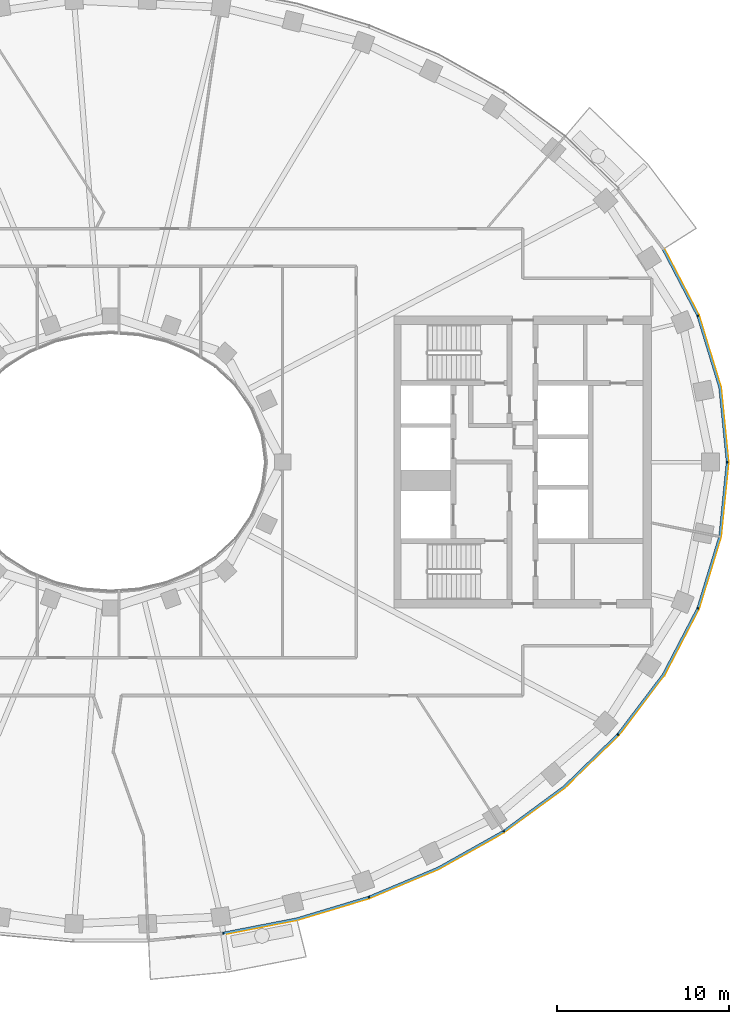
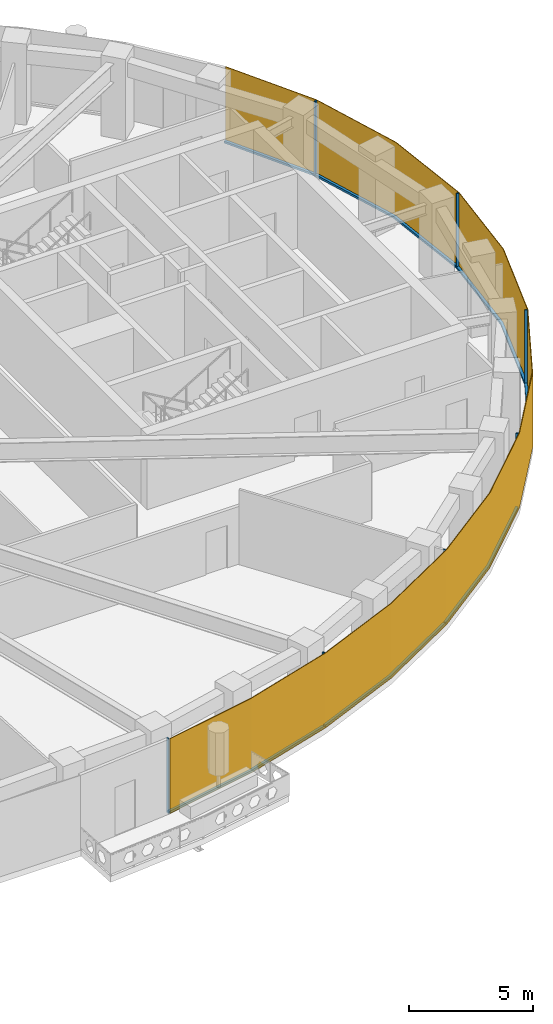
# One storey, part 10 of 16: 14 members, 1 curtain wall.
"""IFC4 building model written with IfcOpenShell, lengths in metres."""

from ifc_helpers import new_model, si_unit, direction, frame, origin, origin_2d, place, context, subcontext, project, spatial, polyline, rectangle, outline, extrude, material, layer, layer_set, material_profile, profile_set, type_object, element, aggregate, save


model = new_model("IFC4")

# Units and contexts
model_context = context("Model", 3, precision=1e-05, world=origin(), true_north=direction((0.0, 1.0)))
body_context = subcontext(model_context, "Body", "Model", "MODEL_VIEW")
ifc_project = project(units=[si_unit("LENGTHUNIT", "METRE"), si_unit("AREAUNIT", "SQUARE_METRE"), si_unit("VOLUMEUNIT", "CUBIC_METRE"), si_unit("PLANEANGLEUNIT", "RADIAN"), si_unit("MASSUNIT", "GRAM", prefix="KILO")], contexts=[model_context])

# Member
ifc_material_1 = material(Name="Aluminium 6063-T6 black anodised", Category="aluminium")
ifc_material_profile = material_profile(ifc_material_1, rectangle(XDim=0.1201171875, YDim=0.06005859375, at=origin_2d()), Name="120x60")
ifc_profile_set = profile_set([ifc_material_profile], Name="Aluminium 6063-T6 black anodised")
member_type_1 = type_object("IfcMemberType", Name="ENV-MULLION-A-120", PredefinedType="MULLION", material=ifc_profile_set)
site_placement = place(None, origin())
building_placement = place(site_placement, origin())
storey_placement = place(building_placement, frame((0.0, 0.0, 281.5)))
member_1_placement = place(storey_placement, frame((6.54638671875, -27.440185546875, 0.0), z_axis=(0.0, 0.0, 1.0), x_axis=(-0.143082012705, 0.989710835366, 0.0)))
member_1 = element("IfcMember", 1, at=member_1_placement, type_object=member_type_1, Name="Mullion A radial 37", PredefinedType="MULLION", context=body_context, shape_type="SweptSolid", body=[
    extrude(rectangle(XDim=0.1201171875, YDim=0.06005859375, at=origin_2d()), origin(), (0.0, 0.0, 1.0), 3.699951171875),
])

member_2_placement = place(storey_placement, frame((15.0341796875, -25.34375, 0.0), z_axis=(0.0, 0.0, 1.0), x_axis=(-0.338379256581, 0.941009818608, 0.0)))
member_2 = element("IfcMember", 2, at=member_2_placement, type_object=member_type_1, Name="Mullion A radial 39", PredefinedType="MULLION", context=body_context, shape_type="SweptSolid", body=[
    extrude(rectangle(XDim=0.1201171875, YDim=0.06005859375, at=origin_2d()), origin(), (0.0, 0.0, 1.0), 3.699951171875),
])

member_3_placement = place(storey_placement, frame((22.882568359375, -21.506591796875, 0.0), z_axis=(0.0, 0.0, 1.0), x_axis=(-0.542279153225, 0.840198381323, 0.0)))
member_3 = element("IfcMember", 3, at=member_3_placement, type_object=member_type_1, Name="Mullion A radial 41", PredefinedType="MULLION", context=body_context, shape_type="SweptSolid", body=[
    extrude(rectangle(XDim=0.1201171875, YDim=0.06005859375, at=origin_2d()), origin(), (0.0, 0.0, 1.0), 3.699951171875),
])

member_4_placement = place(storey_placement, frame((29.53857421875, -15.8671875, 0.0), z_axis=(0.0, 0.0, 1.0), x_axis=(-0.749047221705, 0.662516610853, 0.0)))
member_4 = element("IfcMember", 4, at=member_4_placement, type_object=member_type_1, Name="Mullion A radial 43", PredefinedType="MULLION", context=body_context, shape_type="SweptSolid", body=[
    extrude(rectangle(XDim=0.1201171875, YDim=0.06005859375, at=origin_2d()), origin(), (0.0, 0.0, 1.0), 3.699951171875),
])

member_5_placement = place(storey_placement, frame((34.19580078125, -8.513916015625, 0.0), z_axis=(0.0, 0.0, 1.0), x_axis=(-0.92546738067, 0.378827305398, 0.0)))
member_5 = element("IfcMember", 5, at=member_5_placement, type_object=member_type_1, Name="Mullion A radial 45", PredefinedType="MULLION", context=body_context, shape_type="SweptSolid", body=[
    extrude(rectangle(XDim=0.1201171875, YDim=0.06005859375, at=origin_2d()), origin(), (0.0, 0.0, 1.0), 3.699951171875),
])

member_6_placement = place(storey_placement, frame((35.907958984375, 0.0, 0.0), z_axis=(0.0, 0.0, 1.0), x_axis=(-1.0, 0.0, 0.0)))
member_6 = element("IfcMember", 6, at=member_6_placement, type_object=member_type_1, Name="Mullion A radial 01", PredefinedType="MULLION", context=body_context, shape_type="SweptSolid", body=[
    extrude(rectangle(XDim=0.1201171875, YDim=0.06005859375, at=origin_2d()), origin(), (0.0, 0.0, 1.0), 3.699951171875),
])

member_7_placement = place(storey_placement, frame((34.19580078125, 8.513916015625, 0.0), z_axis=(0.0, 0.0, 1.0), x_axis=(-0.92546738067, -0.378827305398, 0.0)))
member_7 = element("IfcMember", 7, at=member_7_placement, type_object=member_type_1, Name="Mullion A radial 03", PredefinedType="MULLION", context=body_context, shape_type="SweptSolid", body=[
    extrude(rectangle(XDim=0.1201171875, YDim=0.06005859375, at=origin_2d()), origin(), (0.0, 0.0, 1.0), 3.699951171875),
])

ifc_material_2 = material(Name="Aluminium 6063-T6 black anodised", Category="aluminium")
member_type_2 = type_object("IfcMemberType", Name="ENV-TRANSOM-A", PredefinedType="USERDEFINED", material=ifc_material_2)
member_8_placement = place(storey_placement, origin())
member_8 = element("IfcMember", 8, at=member_8_placement, type_object=member_type_2, Name="Transom A radial 37-39", ObjectType="TRANSOM", PredefinedType="USERDEFINED", context=body_context, shape_type="SweptSolid", body=[
    extrude(outline(polyline([(6.58251953125, -27.494140625), (10.857666015625, -26.6630859375), (15.027587890625, -25.408203125), (14.987060546875, -25.295166015625), (10.828857421875, -26.54638671875), (6.5654296875, -27.375244140625), (6.58251953125, -27.494140625)])), origin(), (0.0, 0.0, 1.0), 0.10009765625),
])

member_9_placement = place(storey_placement, origin())
member_9 = element("IfcMember", 9, at=member_9_placement, type_object=member_type_2, Name="Transom A radial 39-41", ObjectType="TRANSOM", PredefinedType="USERDEFINED", context=body_context, shape_type="SweptSolid", body=[
    extrude(outline(polyline([(15.080322265625, -25.389404296875), (19.093994140625, -23.701416015625), (22.890625, -21.570556640625), (22.825439453125, -21.469482421875), (19.041259765625, -23.593505859375), (15.03955078125, -25.276123046875), (15.080322265625, -25.389404296875)])), origin(), (0.0, 0.0, 1.0), 0.10009765625),
])

member_10_placement = place(storey_placement, origin())
member_10 = element("IfcMember", 10, at=member_10_placement, type_object=member_type_2, Name="Transom A radial 41-43", ObjectType="TRANSOM", PredefinedType="USERDEFINED", context=body_context, shape_type="SweptSolid", body=[
    extrude(outline(polyline([(22.937744140625, -21.540283203125), (26.4423828125, -18.958740234375), (29.5634765625, -15.926513671875), (29.473388671875, -15.8466796875), (26.364501953125, -18.866943359375), (22.87255859375, -21.439208984375), (22.937744140625, -21.540283203125)])), origin(), (0.0, 0.0, 1.0), 0.10009765625),
])

member_11_placement = place(storey_placement, origin())
member_11 = element("IfcMember", 11, at=member_11_placement, type_object=member_type_2, Name="Transom A radial 43-45", ObjectType="TRANSOM", PredefinedType="USERDEFINED", context=body_context, shape_type="SweptSolid", body=[
    extrude(outline(polyline([(29.6005859375, -15.884521484375), (32.22802734375, -12.41748046875), (34.23828125, -8.5615234375), (34.126708984375, -8.515869140625), (32.126220703125, -12.35302734375), (29.51025390625, -15.8046875), (29.6005859375, -15.884521484375)])), origin(), (0.0, 0.0, 1.0), 0.10009765625),
])

member_12_placement = place(storey_placement, origin())
member_12 = element("IfcMember", 12, at=member_12_placement, type_object=member_type_2, Name="Transom A radial 45-01", ObjectType="TRANSOM", PredefinedType="USERDEFINED", context=body_context, shape_type="SweptSolid", body=[
    extrude(outline(polyline([(34.259521484375, -8.509765625), (35.529541015625, -4.352294921875), (35.965087890625, -0.02783203125), (35.844482421875, -0.02783203125), (35.411376953125, -4.32861328125), (34.14794921875, -8.464111328125), (34.259521484375, -8.509765625)])), origin(), (0.0, 0.0, 1.0), 0.10009765625),
])

member_13_placement = place(storey_placement, origin())
member_13 = element("IfcMember", 13, at=member_13_placement, type_object=member_type_2, Name="Transom A radial 01-03", ObjectType="TRANSOM", PredefinedType="USERDEFINED", context=body_context, shape_type="SweptSolid", body=[
    extrude(outline(polyline([(35.965087890625, 0.02783203125), (35.529541015625, 4.352294921875), (34.259521484375, 8.509765625), (34.14794921875, 8.464111328125), (35.411376953125, 4.32861328125), (35.844482421875, 0.02783203125), (35.965087890625, 0.02783203125)])), origin(), (0.0, 0.0, 1.0), 0.10009765625),
])

member_14_placement = place(storey_placement, origin())
member_14 = element("IfcMember", 14, at=member_14_placement, type_object=member_type_2, Name="Transom A radial 03-04", ObjectType="TRANSOM", PredefinedType="USERDEFINED", context=body_context, shape_type="SweptSolid", body=[
    extrude(outline(polyline([(34.23828125, 8.5615234375), (32.2373046875, 12.39990234375), (32.135498046875, 12.33544921875), (34.126708984375, 8.515869140625), (34.23828125, 8.5615234375)])), origin(), (0.0, 0.0, 1.0), 0.10009765625),
])

# Site, building, storey
site = spatial("IfcSite", under=ifc_project, at=site_placement, CompositionType="ELEMENT")
building = spatial("IfcBuilding", under=site, at=building_placement, Name="Noorbagh Ring Tower", CompositionType="ELEMENT")
storey = spatial("IfcBuildingStorey", under=building, at=storey_placement, Name="L60", CompositionType="ELEMENT", Elevation=281.5)

# Curtain wall
ifc_material_3 = material(Name="Glass dark tinted laminated", Category="glass")
ifc_layer = layer(ifc_material_3, 0.031982421875)
ifc_layer_set = layer_set([ifc_layer], Name="Glass dark tinted laminated")
curtain_wall_type = type_object("IfcCurtainWallType", Name="ENV-CW-A", PredefinedType="NOTDEFINED", material=ifc_layer_set)
curtain_wall_placement = place(storey_placement, origin())
curtain_wall = element("IfcCurtainWall", 15, at=curtain_wall_placement, inside=storey, type_object=curtain_wall_type, Name="Curtain wall A R37", PredefinedType="NOTDEFINED", context=body_context, shape_type="SweptSolid", body=[
    extrude(outline(polyline([(6.579345703125, -27.52734375), (10.865234375, -26.6943359375), (15.065185546875, -25.430419921875), (19.108154296875, -23.730224609375), (22.9326171875, -21.583740234375), (26.463134765625, -18.9833984375), (29.607666015625, -15.927978515625), (32.255126953125, -12.434814453125), (34.281005859375, -8.548828125), (35.561279296875, -4.358642578125), (36.0, 0.0), (35.561279296875, 4.358642578125), (34.281005859375, 8.548828125), (32.264404296875, 12.4169921875), (32.2373046875, 12.39990234375), (34.251220703125, 8.53662109375), (35.529541015625, 4.352294921875), (35.9677734375, 0.0), (35.529541015625, -4.352294921875), (34.251220703125, -8.53662109375), (32.22802734375, -12.41748046875), (29.58349609375, -15.906982421875), (26.4423828125, -18.958740234375), (22.9150390625, -21.556884765625), (19.093994140625, -23.701416015625), (15.054443359375, -25.400146484375), (10.857666015625, -26.6630859375), (6.57470703125, -27.49560546875), (6.579345703125, -27.52734375)])), origin(), (0.0, 0.0, 1.0), 3.699951171875),
])

aggregate(curtain_wall, [member_1, member_2, member_3, member_4, member_5, member_6, member_7, member_8, member_9, member_10, member_11, member_12, member_13, member_14])

save(model, "model.ifc")
